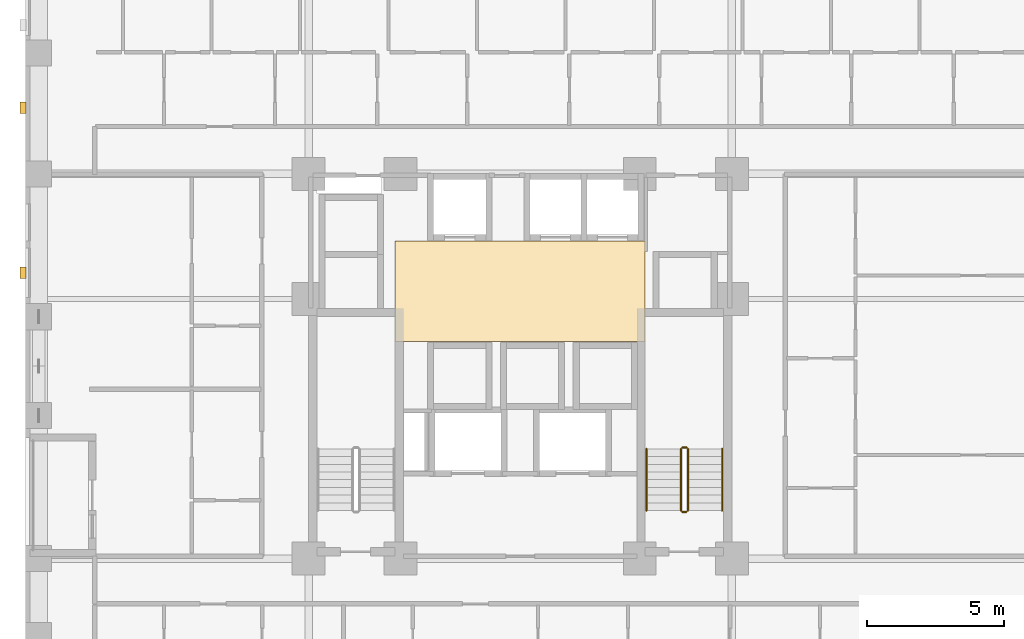
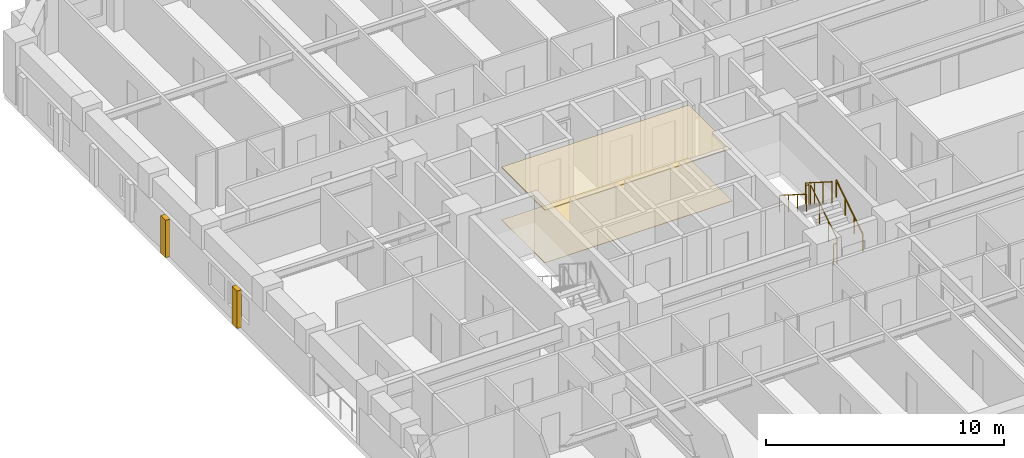
# One storey, part 13 of 14: 6 railings, 4 coverings.
"""IFC4 building model written with IfcOpenShell, lengths in metres."""

import ifcopenshell
import ifcopenshell.guid

model = None  # the IFC model being written
_history = None  # IfcOwnerHistory: only IFC2X3 demands one
_inside = {}  # id of a spatial element -> (the spatial element, [elements in it])
_under = {}  # id of a project, library or spatial element -> (it, [spatial elements below it])
_declared = {}  # id of a project -> (the project, [libraries it declares])
_typed = {}  # id of a type object -> (the type object, [elements of that type])
_made_of = {}  # id of a material, layer set ... -> (it, [elements and type objects made of it])


def new_model(schema):
    """Start an empty IFC model of exactly this schema.

    Asked for "IFC4X3", IfcOpenShell would pick the latest addendum, in which some entities
    have other attributes; the version numbers below select the first issue.
    IFC2X3 requires an IfcOwnerHistory on every rooted entity: one is made here for all.
    """
    global model, _history
    if schema == "IFC4X3":
        model = ifcopenshell.file(schema_version=(4, 3, 0, 0))
    else:
        model = ifcopenshell.file(schema=schema)
    _inside.clear()
    _under.clear()
    _declared.clear()
    _typed.clear()
    _made_of.clear()
    _history = None
    if model.schema == "IFC2X3":
        org = make("IfcOrganization", Name="unknown")
        user = make(
            "IfcPersonAndOrganization",
            ThePerson=make("IfcPerson", FamilyName="unknown"),
            TheOrganization=org,
        )
        app = make(
            "IfcApplication",
            ApplicationDeveloper=org,
            Version="unknown",
            ApplicationFullName="unknown",
            ApplicationIdentifier="unknown",
        )
        _history = make(
            "IfcOwnerHistory",
            OwningUser=user,
            OwningApplication=app,
            ChangeAction="ADDED",
            CreationDate=0,
        )
    return model


def make(cls, **values):
    """One entity of the class cls with the attributes given. An attribute that is None is left unset."""
    return model.create_entity(
        cls, **{name: value for name, value in values.items() if value is not None}
    )


def rooted(cls, **values):
    """An entity with a GlobalId (a new one), such as an element, a storey or a relation."""
    return make(cls, GlobalId=ifcopenshell.guid.new(), OwnerHistory=_history, **values)


def si_unit(unit_type, name, prefix=None):
    """IfcSIUnit, for example si_unit("LENGTHUNIT", "METRE", prefix="MILLI")."""
    return make("IfcSIUnit", UnitType=unit_type, Prefix=prefix, Name=name)


def derived_unit(unit_type, elements):
    """IfcDerivedUnit: a product of units, each with its exponent."""
    return make(
        "IfcDerivedUnit",
        Elements=[
            make("IfcDerivedUnitElement", Unit=unit, Exponent=power)
            for unit, power in elements
        ],
        UnitType=unit_type,
    )


def assignment(units):
    """IfcUnitAssignment: the units of a project."""
    return None if units is None else make("IfcUnitAssignment", Units=units)


def point(xyz):
    """IfcCartesianPoint."""
    return None if xyz is None else make("IfcCartesianPoint", Coordinates=xyz)


def direction(xyz):
    """IfcDirection."""
    return None if xyz is None else make("IfcDirection", DirectionRatios=xyz)


def frame(location, z_axis=None, x_axis=None):
    """IfcAxis2Placement3D, a coordinate frame: its origin and axes. An axis left out is left unset."""
    return make(
        "IfcAxis2Placement3D",
        Location=point(location),
        Axis=direction(z_axis),
        RefDirection=direction(x_axis),
    )


def frame_2d(location, x_axis=None):
    """IfcAxis2Placement2D, a coordinate frame in the plane: its origin and x axis."""
    return make(
        "IfcAxis2Placement2D", Location=point(location), RefDirection=direction(x_axis)
    )


def origin():
    """The frame at (0, 0, 0) with its axes left unset."""
    return frame((0.0, 0.0, 0.0))


def origin_2d():
    """The frame at (0, 0) in the plane with its x axis left unset."""
    return frame_2d((0.0, 0.0))


def place(relative_to, where):
    """IfcLocalPlacement: puts the frame where relative to a parent placement (None: the world)."""
    return make(
        "IfcLocalPlacement", PlacementRelTo=relative_to, RelativePlacement=where
    )


def context(
    kind, dimensions, precision=None, world=None, true_north=None, identifier=None
):
    """IfcGeometricRepresentationContext, for example the 3D "Model" context."""
    return make(
        "IfcGeometricRepresentationContext",
        ContextIdentifier=identifier,
        ContextType=kind,
        CoordinateSpaceDimension=dimensions,
        Precision=precision,
        WorldCoordinateSystem=world,
        TrueNorth=true_north,
    )


def subcontext(parent, identifier, kind, view, scale=None):
    """IfcGeometricRepresentationSubContext, for example "Body" below "Model"."""
    return make(
        "IfcGeometricRepresentationSubContext",
        ContextIdentifier=identifier,
        ContextType=kind,
        ParentContext=parent,
        TargetScale=scale,
        TargetView=view,
    )


def project(units=None, contexts=None):
    """IfcProject with its units and contexts."""
    return rooted(
        "IfcProject",
        Name="project",
        RepresentationContexts=contexts,
        UnitsInContext=assignment(units),
    )


def spatial(cls, under=None, at=None, **own):
    """A site, building, storey or space (cls), placed at a placement, below another one or the project."""
    s = rooted(cls, ObjectPlacement=at, **own)
    if under is not None:
        _under.setdefault(under.id(), (under, []))[1].append(s)
    return s


def polyline(points):
    """IfcPolyline through the points."""
    return make("IfcPolyline", Points=[point(p) for p in points])


def profile(cls, at=None, kind="AREA", **sizes):
    """A parametric profile (cls). Its sizes go by their IFC names, for example OverallWidth=200.0."""
    return make(cls, ProfileType=kind, Position=at, **sizes)


def rectangle(**sizes):
    """IfcRectangleProfileDef."""
    return profile("IfcRectangleProfileDef", **sizes)


def circle(**sizes):
    """IfcCircleProfileDef."""
    return profile("IfcCircleProfileDef", **sizes)


def outline(outer, holes=None, kind="AREA"):
    """IfcArbitraryClosedProfileDef: a profile drawn as a closed curve; with holes, ...WithVoids."""
    if holes is None:
        return make("IfcArbitraryClosedProfileDef", ProfileType=kind, OuterCurve=outer)
    return make(
        "IfcArbitraryProfileDefWithVoids",
        ProfileType=kind,
        OuterCurve=outer,
        InnerCurves=holes,
    )


def extrude(swept, where, along, depth):
    """IfcExtrudedAreaSolid: the profile swept, set in the frame where, extruded along a direction by depth."""
    return make(
        "IfcExtrudedAreaSolid",
        SweptArea=swept,
        Position=where,
        ExtrudedDirection=direction(along),
        Depth=depth,
    )


def shape(context_of_items, identifier, shape_type, items):
    """IfcShapeRepresentation: the items that make up one representation, for example the "Body"."""
    return make(
        "IfcShapeRepresentation",
        ContextOfItems=context_of_items,
        RepresentationIdentifier=identifier,
        RepresentationType=shape_type,
        Items=items,
    )


def material(Name=None, Category=None):
    """IfcMaterial."""
    return make("IfcMaterial", Name=Name, Category=Category)


def layer(
    of_material, thickness, ventilated=None, Name=None, Category=None, Priority=None
):
    """IfcMaterialLayer: one layer of a wall or slab, of a material (None: an air gap)."""
    return make(
        "IfcMaterialLayer",
        Material=of_material,
        LayerThickness=thickness,
        IsVentilated=ventilated,
        Name=Name,
        Category=Category,
        Priority=Priority,
    )


def layer_set(layers, Name=None):
    """IfcMaterialLayerSet."""
    return make("IfcMaterialLayerSet", MaterialLayers=layers, LayerSetName=Name)


def made_of(thing, what):
    """Note that an element or type object is made of a material, layer set ...; save() writes the relation."""
    if what is not None:
        _made_of.setdefault(what.id(), (what, []))[1].append(thing)
    return thing


def type_object(cls, material=None, **own):
    """A type object (cls), such as IfcWallType, which elements share."""
    return made_of(rooted(cls, **own), material)


def element(
    cls,
    number,
    at=None,
    inside=None,
    cuts=None,
    type_object=None,
    material=None,
    context=None,
    identifier="Body",
    shape_type=None,
    held_by="IfcProductDefinitionShape",
    body=None,
    shapes=None,
    **own,
):
    """One element of the class cls, such as IfcWall. Its Tag is "e" and its number.

    at: its placement. inside: the storey or other place that contains it. cuts: it is an
    opening in that element (IfcRelVoidsElement). A single representation is given by context,
    identifier, shape_type and body (its items); several are given by shapes. held_by: the class
    of the entity that holds the representations. save() writes the other relations.
    """
    e = rooted(cls, Tag="e%d" % number, ObjectPlacement=at, **own)
    if body is not None:
        shapes = [shape(context, identifier, shape_type, body)]
    if shapes is not None:
        e.Representation = make(held_by, Representations=shapes)
    if inside is not None:
        _inside.setdefault(inside.id(), (inside, []))[1].append(e)
    if cuts is not None:
        rooted(
            "IfcRelVoidsElement", RelatingBuildingElement=cuts, RelatedOpeningElement=e
        )
    if type_object is not None:
        _typed.setdefault(type_object.id(), (type_object, []))[1].append(e)
    return made_of(e, material)


def aggregate(whole, parts):
    """IfcRelAggregates: a whole, such as a stair, and the parts it consists of."""
    return rooted("IfcRelAggregates", RelatingObject=whole, RelatedObjects=parts)


def save(model, path):
    """Write the relations noted so far, then the file.

    IfcRelAggregates (storeys below a building ...), IfcRelContainedInSpatialStructure (elements
    in a storey), IfcRelDefinesByType, IfcRelAssociatesMaterial and IfcRelDeclares: one each for
    every whole, place, type object, material and project.
    """
    for whole, parts in _under.values():
        aggregate(whole, parts)
    for where, things in _inside.values():
        rooted(
            "IfcRelContainedInSpatialStructure",
            RelatedElements=things,
            RelatingStructure=where,
        )
    for kind, things in _typed.values():
        rooted("IfcRelDefinesByType", RelatedObjects=things, RelatingType=kind)
    for what, things in _made_of.values():
        rooted("IfcRelAssociatesMaterial", RelatedObjects=things, RelatingMaterial=what)
    for by, libraries in _declared.values():
        rooted("IfcRelDeclares", RelatingContext=by, RelatedDefinitions=libraries)
    model.write(path)


model = new_model("IFC4")

# Units and contexts
model_context = context("Model", 3, precision=1e-05, world=origin(), true_north=direction((0.0, 1.0)))
body_context = subcontext(model_context, "Body", "Model", "MODEL_VIEW")
ifc_project = project(units=[si_unit("LENGTHUNIT", "METRE"), si_unit("AREAUNIT", "SQUARE_METRE"), si_unit("VOLUMEUNIT", "CUBIC_METRE"), si_unit("PLANEANGLEUNIT", "RADIAN"), si_unit("MASSUNIT", "GRAM", prefix="KILO"), derived_unit("THERMALTRANSMITTANCEUNIT", [(si_unit("MASSUNIT", "GRAM", prefix="KILO"), 1), (si_unit("TIMEUNIT", "SECOND"), -3), (si_unit("THERMODYNAMICTEMPERATUREUNIT", "KELVIN"), -1)])], contexts=[model_context])

# Site, building, storey
site_placement = place(None, origin())
site = spatial("IfcSite", under=ifc_project, at=site_placement, CompositionType="ELEMENT")
building_placement = place(site_placement, origin())
building = spatial("IfcBuilding", under=site, at=building_placement, Name="Korrvale Station Residences", CompositionType="ELEMENT")
storey_placement = place(building_placement, frame((0.0, 0.0, 45.0)))
storey = spatial("IfcBuildingStorey", under=building, at=storey_placement, Name="L11", CompositionType="ELEMENT", Elevation=45.0)

# Coverings
ifc_material_1 = material(Name="Perforated acoustic mineral-fibre suspended ceiling", Category="gypsum")
ifc_layer_1 = layer(ifc_material_1, 0.050048828125, Name="Perforated acoustic mineral-fibre suspended ceiling")
ifc_layer_set_1 = layer_set([ifc_layer_1], Name="Perforated acoustic mineral-fibre suspended ceiling")
covering_type_1 = type_object("IfcCoveringType", Name="COV-CLG-AC60", PredefinedType="CEILING", material=ifc_layer_set_1)
covering_1_placement = place(storey_placement, frame((0.0, 0.0, 2.68994140625)))
element("IfcCovering", 1, at=covering_1_placement, inside=storey, type_object=covering_type_1, Name="L11 Elevator Lobby Acoustic Ceiling", PredefinedType="CEILING", context=body_context, shape_type="SweptSolid", body=[
    extrude(outline(polyline([(20.949951171875, 22.89990234375), (30.050048828125, 22.89990234375), (30.050048828125, 26.550048828125), (20.949951171875, 26.550048828125), (20.949951171875, 22.89990234375)])), origin(), (0.0, 0.0, 1.0), 0.050048828125),
])
ifc_material_2 = material(Name="Polished quartz-terrazzo lobby flooring", Category="masonry")
ifc_layer_2 = layer(ifc_material_2, 0.02001953125, Name="Polished quartz-terrazzo lobby flooring")
ifc_layer_set_2 = layer_set([ifc_layer_2], Name="Polished quartz-terrazzo lobby flooring")
covering_type_2 = type_object("IfcCoveringType", Name="COV-FLR-TER20", PredefinedType="FLOORING", material=ifc_layer_set_2)
covering_2_placement = place(storey_placement, origin())
element("IfcCovering", 2, at=covering_2_placement, inside=storey, type_object=covering_type_2, Name="L11 Elevator Lobby Terrazzo Flooring", PredefinedType="FLOORING", context=body_context, shape_type="SweptSolid", body=[
    extrude(outline(polyline([(20.949951171875, 22.89990234375), (30.050048828125, 22.89990234375), (30.050048828125, 26.550048828125), (20.949951171875, 26.550048828125), (20.949951171875, 22.89990234375)])), origin(), (0.0, 0.0, 1.0), 0.02001953125),
])
ifc_material_3 = material(Name="Architectural precast concrete C45/55", Category="concrete")
ifc_layer_3 = layer(ifc_material_3, 0.219970703125, Name="Architectural precast concrete C45/55")
ifc_layer_set_3 = layer_set([ifc_layer_3], Name="Architectural precast concrete C45/55")
covering_type_3 = type_object("IfcCoveringType", Name="COV-PIER-400", PredefinedType="CLADDING", material=ifc_layer_set_3)
for number, where, z_axis, x_axis, name in (
    (3, (7.409912109375, 25.39990234375, 0.02490234375), (0.0, 0.0, 1.0), (0.0, 1.0, 0.0), "L11 Architectural Precast Facade Pier 13"),
    (4, (7.409912109375, 31.39990234375, 0.02490234375), (0.0, 0.0, 1.0), (0.0, 1.0, 0.0), "L11 Architectural Precast Facade Pier 14"),
):
    element("IfcCovering", number, at=place(storey_placement, frame(where, z_axis=z_axis, x_axis=x_axis)), inside=storey, type_object=covering_type_3, Name=name, PredefinedType="CLADDING", context=body_context, shape_type="SweptSolid", body=[
        extrude(rectangle(XDim=0.419921875, YDim=0.219970703125, at=origin_2d()), origin(), (0.0, 0.0, 1.0), 1.925048828125),
    ])

# Railings
ifc_material_4 = material(Name="Brushed stainless-steel continuous stair handrail", Category="steel")
railing_type_1 = type_object("IfcRailingType", Name="RLG-SHND-900", PredefinedType="HANDRAIL", material=ifc_material_4)
railing_1_placement = place(storey_placement, frame((32.85009765625, 16.75, 0.177734375)))
element("IfcRailing", 5, at=railing_1_placement, inside=storey, type_object=railing_type_1, Name="L11 ST-2 stair handrail 1", PredefinedType="HANDRAIL", context=body_context, shape_type="SweptSolid", body=[
    extrude(circle(Radius=0.02392578125, at=origin_2d()), frame((0.0, 0.0, 0.8759765625), z_axis=(0.0, 0.84418770128, 0.536047689118), x_axis=(-1.0, 0.0, 0.0)), (0.0, 0.0, 1.0), 2.6533203125),
    extrude(circle(Radius=0.02099609375, at=origin_2d()), origin(), (0.0, 0.0, 1.0), 0.851806640625),
    extrude(circle(Radius=0.02099609375, at=origin_2d()), frame((0.0, 0.74658203125, 0.47412109375)), (0.0, 0.0, 1.0), 0.851806640625),
    extrude(circle(Radius=0.02099609375, at=origin_2d()), frame((0.0, 1.493408203125, 0.9482421875)), (0.0, 0.0, 1.0), 0.851806640625),
    extrude(circle(Radius=0.02099609375, at=origin_2d()), frame((0.0, 2.239990234375, 1.42236328125)), (0.0, 0.0, 1.0), 0.851806640625),
])
railing_2_placement = place(storey_placement, frame((30.10009765625, 18.989990234375, 1.77783203125)))
element("IfcRailing", 6, at=railing_2_placement, inside=storey, type_object=railing_type_1, Name="L11 ST-2 stair handrail 2", PredefinedType="HANDRAIL", context=body_context, shape_type="SweptSolid", body=[
    extrude(circle(Radius=0.02392578125, at=origin_2d()), frame((0.0, 0.0, 0.8759765625), z_axis=(0.0, -0.8442293374, 0.53598211339), x_axis=(1.0, 0.0, 0.0)), (0.0, 0.0, 1.0), 2.6533203125),
    extrude(circle(Radius=0.02099609375, at=origin_2d()), origin(), (0.0, 0.0, 1.0), 0.851806640625),
    extrude(circle(Radius=0.02099609375, at=origin_2d()), frame((0.0, -0.74658203125, 0.47412109375)), (0.0, 0.0, 1.0), 0.851806640625),
    extrude(circle(Radius=0.02099609375, at=origin_2d()), frame((0.0, -1.493408203125, 0.947998046875)), (0.0, 0.0, 1.0), 0.851806640625),
    extrude(circle(Radius=0.02099609375, at=origin_2d()), frame((0.0, -2.239990234375, 1.422119140625)), (0.0, 0.0, 1.0), 0.851806640625),
])
ifc_material_5 = material(Name="Galvanised painted tubular steel stair guard", Category="steel")
railing_type_2 = type_object("IfcRailingType", Name="RLG-STR-1100", PredefinedType="GUARDRAIL", material=ifc_material_5)
railing_3_placement = place(storey_placement, frame((31.60009765625, 16.75, 0.177734375)))
element("IfcRailing", 7, at=railing_3_placement, inside=storey, type_object=railing_type_2, Name="L11 ST-2 stair guard 1", PredefinedType="GUARDRAIL", context=body_context, shape_type="SweptSolid", body=[
    extrude(circle(Radius=0.02392578125, at=origin_2d()), frame((0.0, 0.0, 1.076171875), z_axis=(0.0, 0.84418770128, 0.536047689118), x_axis=(-1.0, 0.0, 0.0)), (0.0, 0.0, 1.0), 2.6533203125),
    extrude(circle(Radius=0.02099609375, at=origin_2d()), origin(), (0.0, 0.0, 1.0), 1.052001953125),
    extrude(circle(Radius=0.02099609375, at=origin_2d()), frame((0.0, 0.74658203125, 0.47412109375)), (0.0, 0.0, 1.0), 1.052001953125),
    extrude(circle(Radius=0.02099609375, at=origin_2d()), frame((0.0, 1.493408203125, 0.9482421875)), (0.0, 0.0, 1.0), 1.052001953125),
    extrude(circle(Radius=0.02099609375, at=origin_2d()), frame((0.0, 2.239990234375, 1.42236328125)), (0.0, 0.0, 1.0), 1.052001953125),
])
railing_4_placement = place(storey_placement, frame((31.550048828125, 19.0400390625, 1.60009765625)))
element("IfcRailing", 8, at=railing_4_placement, inside=storey, type_object=railing_type_2, Name="L11 ST-2 stair guard 2", PredefinedType="GUARDRAIL", context=body_context, shape_type="SweptSolid", body=[
    extrude(circle(Radius=0.02392578125, at=origin_2d()), frame((0.0, 0.0, 1.076171875), z_axis=(-1.0, 0.0, 0.0), x_axis=(0.0, -1.0, 0.0)), (0.0, 0.0, 1.0), 0.150146484375),
    extrude(circle(Radius=0.02099609375, at=origin_2d()), origin(), (0.0, 0.0, 1.0), 1.052001953125),
    extrude(circle(Radius=0.02099609375, at=origin_2d()), frame((-0.150146484375, 0.0, 0.0)), (0.0, 0.0, 1.0), 1.052001953125),
])
railing_5_placement = place(storey_placement, frame((31.35009765625, 18.989990234375, 1.77783203125)))
element("IfcRailing", 9, at=railing_5_placement, inside=storey, type_object=railing_type_2, Name="L11 ST-2 stair guard 3", PredefinedType="GUARDRAIL", context=body_context, shape_type="SweptSolid", body=[
    extrude(circle(Radius=0.02392578125, at=origin_2d()), frame((0.0, 0.0, 1.076171875), z_axis=(0.0, -0.8442293374, 0.53598211339), x_axis=(1.0, 0.0, 0.0)), (0.0, 0.0, 1.0), 2.6533203125),
    extrude(circle(Radius=0.02099609375, at=origin_2d()), origin(), (0.0, 0.0, 1.0), 1.052001953125),
    extrude(circle(Radius=0.02099609375, at=origin_2d()), frame((0.0, -0.74658203125, 0.47412109375)), (0.0, 0.0, 1.0), 1.052001953125),
    extrude(circle(Radius=0.02099609375, at=origin_2d()), frame((0.0, -1.493408203125, 0.947998046875)), (0.0, 0.0, 1.0), 1.052001953125),
    extrude(circle(Radius=0.02099609375, at=origin_2d()), frame((0.0, -2.239990234375, 1.422119140625)), (0.0, 0.0, 1.0), 1.052001953125),
])
railing_6_placement = place(storey_placement, frame((31.550048828125, 16.699951171875, 0.0)))
element("IfcRailing", 10, at=railing_6_placement, inside=storey, type_object=railing_type_2, Name="L11 ST-2 stair guard 4", PredefinedType="GUARDRAIL", context=body_context, shape_type="SweptSolid", body=[
    extrude(circle(Radius=0.02392578125, at=origin_2d()), frame((0.0, 0.0, 1.076171875), z_axis=(-1.0, 0.0, 0.0), x_axis=(0.0, -1.0, 0.0)), (0.0, 0.0, 1.0), 0.150146484375),
    extrude(circle(Radius=0.02099609375, at=origin_2d()), origin(), (0.0, 0.0, 1.0), 1.052001953125),
    extrude(circle(Radius=0.02099609375, at=origin_2d()), frame((-0.150146484375, 0.0, 0.0)), (0.0, 0.0, 1.0), 1.052001953125),
])

save(model, "model.ifc")
